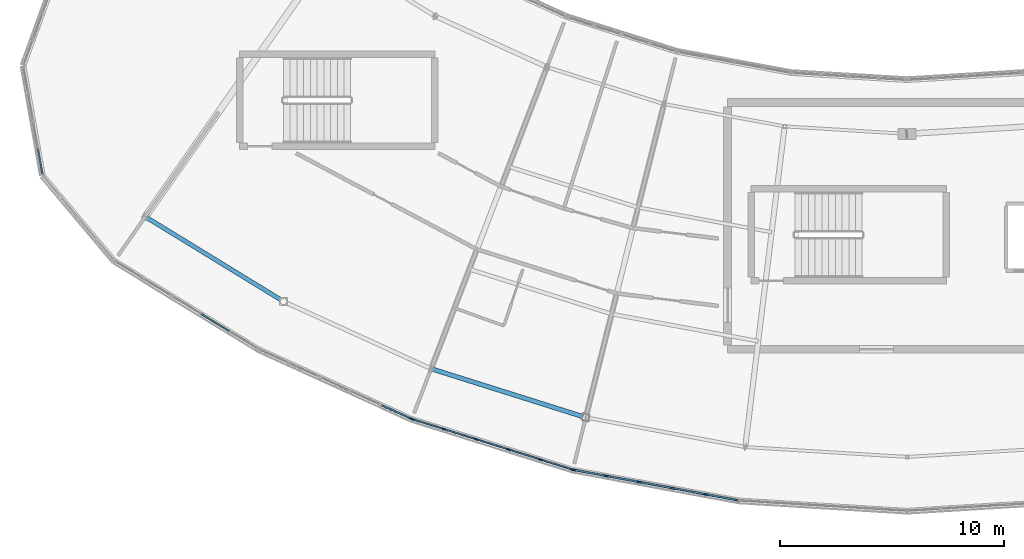
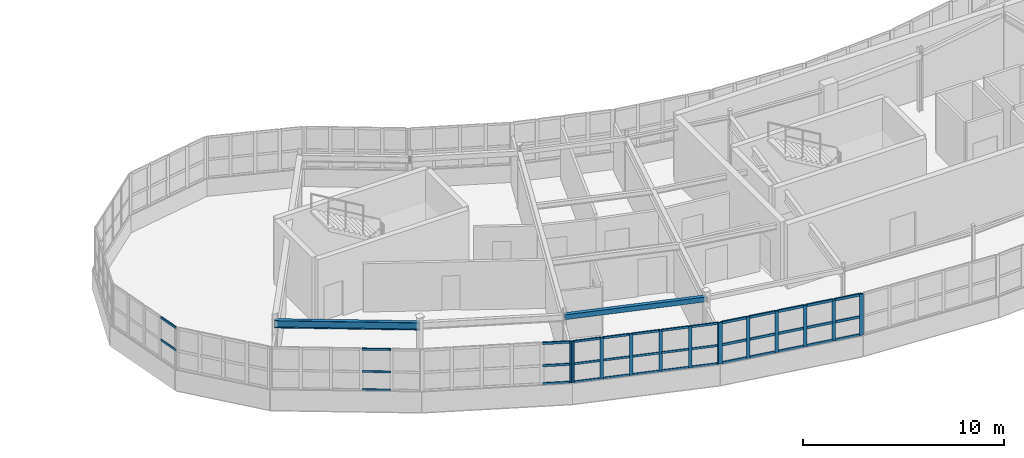
# One storey, part 14 of 65: 51 members, 2 beams, 5 elements without a shape of their own.
"""IFC4 building model written with IfcOpenShell, lengths in metres."""

from ifc_helpers import new_model, si_unit, direction, frame, origin, origin_2d, place, context, subcontext, project, spatial, rectangle, hollow_rectangle, i_section, extrude, material, layer, layer_set, material_profile, profile_set, type_object, element, aggregate, save


model = new_model("IFC4")

# Units and contexts
model_context = context("Model", 3, precision=1e-05, world=origin(), true_north=direction((0.0, 1.0)))
body_context = subcontext(model_context, "Body", "Model", "MODEL_VIEW")
ifc_project = project(units=[si_unit("LENGTHUNIT", "METRE"), si_unit("AREAUNIT", "SQUARE_METRE"), si_unit("VOLUMEUNIT", "CUBIC_METRE"), si_unit("PLANEANGLEUNIT", "RADIAN"), si_unit("MASSUNIT", "GRAM", prefix="KILO")], contexts=[model_context])

# Site, building, storey
site_placement = place(None, origin())
site = spatial("IfcSite", under=ifc_project, at=site_placement, CompositionType="ELEMENT")
building_placement = place(site_placement, origin())
building = spatial("IfcBuilding", under=site, at=building_placement, Name="Tarnwether General Hospital", CompositionType="ELEMENT")
storey_placement = place(building_placement, frame((0.0, 0.0, 22.199951171875)))
storey = spatial("IfcBuildingStorey", under=building, at=storey_placement, Name="L05", CompositionType="ELEMENT", Elevation=22.199951171875)

# Beams
ifc_material_1 = material(Name="Steel Grade 350 (350 MPa)", Category="steel")
ifc_material_profile_1 = material_profile(ifc_material_1, i_section(OverallWidth=0.18994140625, OverallDepth=0.4541015625, WebThickness=0.008544921875, FlangeThickness=0.0126953125, at=origin_2d()), Name="460UB67.1")
ifc_profile_set_1 = profile_set([ifc_material_profile_1], Name="Steel Grade 350 (350 MPa)")
beam_type_1 = type_object("IfcBeamType", Name="BM-SP1", PredefinedType="SPANDREL", material=ifc_profile_set_1)
beam_1_placement = place(storey_placement, frame((58.0439453125, 14.506103515625, 3.3330078125), z_axis=(0.852678430503, -0.522436114902, 0.0), x_axis=(0.522436114902, 0.852678430503, 0.0)))
element("IfcBeam", 1, at=beam_1_placement, inside=storey, type_object=beam_type_1, Name="Curved Ward SE Outer Spandrel BMG-L05-5804_1451-6421_1073-2170", PredefinedType="SPANDREL", context=body_context, shape_type="SweptSolid", body=[
    extrude(i_section(OverallWidth=0.18994140625, OverallDepth=0.4541015625, WebThickness=0.008544921875, FlangeThickness=0.0126953125, at=origin_2d()), origin(), (0.0, 0.0, 1.0), 7.22802734375),
])
ifc_material_2 = material(Name="Steel Grade C350L0 (350 MPa)", Category="steel")
ifc_material_profile_2 = material_profile(ifc_material_2, hollow_rectangle(XDim=0.199951171875, YDim=0.300048828125, WallThickness=0.012451171875, at=origin_2d()), Name="RHS300x200x12.5")
ifc_profile_set_2 = profile_set([ifc_material_profile_2], Name="Steel Grade C350L0 (350 MPa)")
beam_type_2 = type_object("IfcBeamType", Name="BM-SP3", PredefinedType="SPANDREL", material=ifc_profile_set_2)
beam_2_placement = place(storey_placement, frame((70.784912109375, 7.73193359375, 3.41015625), z_axis=(0.953698988948, -0.300762761125, 0.0), x_axis=(0.300762761125, 0.953698988948, 0.0)))
element("IfcBeam", 2, at=beam_2_placement, inside=storey, type_object=beam_type_2, Name="Curved Ward SE Outer Spandrel BMG-L05-7078_773-7768_556-2174", PredefinedType="SPANDREL", context=body_context, shape_type="SweptSolid", body=[
    extrude(hollow_rectangle(XDim=0.199951171875, YDim=0.300048828125, WallThickness=0.012451171875, at=origin_2d()), origin(), (0.0, 0.0, 1.0), 7.227783203125),
])

# Curtain wall, member
ifc_material_3 = material(Name="Anodised aluminium", Category="aluminium")
ifc_layer_1 = layer(ifc_material_3, 0.159912109375)
ifc_layer_set_1 = layer_set([ifc_layer_1], Name="Anodised aluminium")
curtain_wall_type_1 = type_object("IfcCurtainWallType", Name="CW-10", PredefinedType="NOTDEFINED", material=ifc_layer_set_1)
curtain_wall_1_placement = place(storey_placement, origin())
curtain_wall_1 = element("IfcCurtainWall", 3, at=curtain_wall_1_placement, inside=storey, type_object=curtain_wall_type_1, Name="Curtain Wall CWG-L05-699_55-0219", PredefinedType="NOTDEFINED")
ifc_material_4 = material(Name="Anodised aluminium", Category="aluminium")
ifc_material_profile_3 = material_profile(ifc_material_4, rectangle(XDim=0.070068359375, YDim=0.179931640625, at=origin_2d()), Name="ALU-MUL-70x180")
ifc_profile_set_3 = profile_set([ifc_material_profile_3], Name="Anodised aluminium")
member_type_1 = type_object("IfcMemberType", Name="CW-ML2", PredefinedType="MULLION", material=ifc_profile_set_3)
member_1_placement = place(storey_placement, frame((69.89306640625, 5.505615234375, 1.050048828125), z_axis=(0.0, 0.0, 1.0), x_axis=(-0.414694289316, -0.909960793886, 0.0)))
member_1 = element("IfcMember", 4, at=member_1_placement, type_object=member_type_1, Name="CW-10 mullion 1", PredefinedType="MULLION", context=body_context, shape_type="SweptSolid", body=[
    extrude(rectangle(XDim=0.070068359375, YDim=0.179931640625, at=origin_2d()), origin(), (0.0, 0.0, 1.0), 2.510009765625),
])

# Curtain wall, members
curtain_wall_2_placement = place(storey_placement, origin())
curtain_wall_2 = element("IfcCurtainWall", 5, at=curtain_wall_2_placement, inside=storey, type_object=curtain_wall_type_1, Name="Curtain Wall CWG-L05-771_32-0220", PredefinedType="NOTDEFINED")
ifc_material_5 = material(Name="Anodised aluminium", Category="aluminium")
ifc_material_profile_4 = material_profile(ifc_material_5, rectangle(XDim=0.06494140625, YDim=0.169921875, at=origin_2d()), Name="ALU-MUL-65x170")
ifc_profile_set_4 = profile_set([ifc_material_profile_4], Name="Anodised aluminium")
member_type_2 = type_object("IfcMemberType", Name="CW-ML3", PredefinedType="MULLION", material=ifc_profile_set_4)
member_2_placement = place(storey_placement, frame((77.06689453125, 3.23974609375, 1.050048828125), z_axis=(0.0, 0.0, 1.0), x_axis=(-0.300628613299, -0.953741284032, 0.0)))
member_2 = element("IfcMember", 6, at=member_2_placement, type_object=member_type_2, Name="CW-10 mullion 1", PredefinedType="MULLION", context=body_context, shape_type="SweptSolid", body=[
    extrude(rectangle(XDim=0.06494140625, YDim=0.169921875, at=origin_2d()), origin(), (0.0, 0.0, 1.0), 2.510009765625),
])
member_3_placement = place(storey_placement, frame((75.663330078125, 3.68212890625, 1.050048828125), z_axis=(0.0, 0.0, 1.0), x_axis=(-0.300628613299, -0.953741284032, 0.0)))
member_3 = element("IfcMember", 7, at=member_3_placement, type_object=member_type_2, Name="CW-10 mullion 2", PredefinedType="MULLION", context=body_context, shape_type="SweptSolid", body=[
    extrude(rectangle(XDim=0.06494140625, YDim=0.169921875, at=origin_2d()), origin(), (0.0, 0.0, 1.0), 2.510009765625),
])
member_4_placement = place(storey_placement, frame((74.228759765625, 4.134521484375, 1.050048828125), z_axis=(0.0, 0.0, 1.0), x_axis=(-0.300628613299, -0.953741284032, 0.0)))
member_4 = element("IfcMember", 8, at=member_4_placement, type_object=member_type_2, Name="CW-10 mullion 3", PredefinedType="MULLION", context=body_context, shape_type="SweptSolid", body=[
    extrude(rectangle(XDim=0.06494140625, YDim=0.169921875, at=origin_2d()), origin(), (0.0, 0.0, 1.0), 2.510009765625),
])
member_5_placement = place(storey_placement, frame((72.794189453125, 4.586669921875, 1.050048828125), z_axis=(0.0, 0.0, 1.0), x_axis=(-0.300628613299, -0.953741284032, 0.0)))
member_5 = element("IfcMember", 9, at=member_5_placement, type_object=member_type_2, Name="CW-10 mullion 4", PredefinedType="MULLION", context=body_context, shape_type="SweptSolid", body=[
    extrude(rectangle(XDim=0.06494140625, YDim=0.169921875, at=origin_2d()), origin(), (0.0, 0.0, 1.0), 2.510009765625),
])
member_6_placement = place(storey_placement, frame((71.359619140625, 5.038818359375, 1.050048828125), z_axis=(0.0, 0.0, 1.0), x_axis=(-0.300628613299, -0.953741284032, 0.0)))
member_6 = element("IfcMember", 10, at=member_6_placement, type_object=member_type_2, Name="CW-10 mullion 5", PredefinedType="MULLION", context=body_context, shape_type="SweptSolid", body=[
    extrude(rectangle(XDim=0.06494140625, YDim=0.169921875, at=origin_2d()), origin(), (0.0, 0.0, 1.0), 2.510009765625),
])
member_7_placement = place(storey_placement, frame((69.9560546875, 5.481201171875, 1.050048828125), z_axis=(0.0, 0.0, 1.0), x_axis=(-0.300628613299, -0.953741284032, 0.0)))
member_7 = element("IfcMember", 11, at=member_7_placement, type_object=member_type_2, Name="CW-10 mullion 6", PredefinedType="MULLION", context=body_context, shape_type="SweptSolid", body=[
    extrude(rectangle(XDim=0.06494140625, YDim=0.169921875, at=origin_2d()), origin(), (0.0, 0.0, 1.0), 2.510009765625),
])

curtain_wall_3_placement = place(storey_placement, origin())
curtain_wall_3 = element("IfcCurtainWall", 12, at=curtain_wall_3_placement, inside=storey, type_object=curtain_wall_type_1, Name="Curtain Wall CWG-L05-845_19-0221", PredefinedType="NOTDEFINED")
ifc_material_6 = material(Name="Anodised aluminium", Category="aluminium")
ifc_material_profile_5 = material_profile(ifc_material_6, rectangle(XDim=0.080078125, YDim=0.199951171875, at=origin_2d()), Name="ALU-MUL-80x200")
ifc_profile_set_5 = profile_set([ifc_material_profile_5], Name="Anodised aluminium")
member_type_3 = type_object("IfcMemberType", Name="CW-ML4", PredefinedType="MULLION", material=ifc_profile_set_5)
member_8_placement = place(storey_placement, frame((84.45361328125, 1.8662109375, 1.050048828125), z_axis=(0.0, 0.0, 1.0), x_axis=(-0.182289226614, -0.983244953132, 0.0)))
member_8 = element("IfcMember", 13, at=member_8_placement, type_object=member_type_3, Name="CW-10 mullion 1", PredefinedType="MULLION", context=body_context, shape_type="SweptSolid", body=[
    extrude(rectangle(XDim=0.080078125, YDim=0.199951171875, at=origin_2d()), origin(), (0.0, 0.0, 1.0), 2.510009765625),
])
member_9_placement = place(storey_placement, frame((83.013916015625, 2.13330078125, 1.050048828125), z_axis=(0.0, 0.0, 1.0), x_axis=(-0.182289226614, -0.983244953132, 0.0)))
member_9 = element("IfcMember", 14, at=member_9_placement, type_object=member_type_3, Name="CW-10 mullion 2", PredefinedType="MULLION", context=body_context, shape_type="SweptSolid", body=[
    extrude(rectangle(XDim=0.080078125, YDim=0.199951171875, at=origin_2d()), origin(), (0.0, 0.0, 1.0), 2.510009765625),
])
member_10_placement = place(storey_placement, frame((81.534912109375, 2.407470703125, 1.050048828125), z_axis=(0.0, 0.0, 1.0), x_axis=(-0.182289226614, -0.983244953132, 0.0)))
member_10 = element("IfcMember", 15, at=member_10_placement, type_object=member_type_3, Name="CW-10 mullion 3", PredefinedType="MULLION", context=body_context, shape_type="SweptSolid", body=[
    extrude(rectangle(XDim=0.080078125, YDim=0.199951171875, at=origin_2d()), origin(), (0.0, 0.0, 1.0), 2.510009765625),
])
member_11_placement = place(storey_placement, frame((80.055908203125, 2.681640625, 1.050048828125), z_axis=(0.0, 0.0, 1.0), x_axis=(-0.182289226614, -0.983244953132, 0.0)))
member_11 = element("IfcMember", 16, at=member_11_placement, type_object=member_type_3, Name="CW-10 mullion 4", PredefinedType="MULLION", context=body_context, shape_type="SweptSolid", body=[
    extrude(rectangle(XDim=0.080078125, YDim=0.199951171875, at=origin_2d()), origin(), (0.0, 0.0, 1.0), 2.510009765625),
])
member_12_placement = place(storey_placement, frame((78.576904296875, 2.955810546875, 1.050048828125), z_axis=(0.0, 0.0, 1.0), x_axis=(-0.182289226614, -0.983244953132, 0.0)))
member_12 = element("IfcMember", 17, at=member_12_placement, type_object=member_type_3, Name="CW-10 mullion 5", PredefinedType="MULLION", context=body_context, shape_type="SweptSolid", body=[
    extrude(rectangle(XDim=0.080078125, YDim=0.199951171875, at=origin_2d()), origin(), (0.0, 0.0, 1.0), 2.510009765625),
])
member_13_placement = place(storey_placement, frame((77.137451171875, 3.22265625, 1.050048828125), z_axis=(0.0, 0.0, 1.0), x_axis=(-0.182289226614, -0.983244953132, 0.0)))
member_13 = element("IfcMember", 18, at=member_13_placement, type_object=member_type_3, Name="CW-10 mullion 6", PredefinedType="MULLION", context=body_context, shape_type="SweptSolid", body=[
    extrude(rectangle(XDim=0.080078125, YDim=0.199951171875, at=origin_2d()), origin(), (0.0, 0.0, 1.0), 2.510009765625),
])

curtain_wall_4_placement = place(storey_placement, origin())
curtain_wall_4 = element("IfcCurtainWall", 19, at=curtain_wall_4_placement, inside=storey, type_object=curtain_wall_type_1, Name="Curtain Wall CWG-L05-631_86-0218", PredefinedType="NOTDEFINED")
ifc_material_7 = material(Name="Anodised aluminium", Category="aluminium")
ifc_material_profile_6 = material_profile(ifc_material_7, rectangle(XDim=0.06005859375, YDim=0.1201171875, at=origin_2d()), Name="ALU-TRN-60x120")
ifc_profile_set_6 = profile_set([ifc_material_profile_6], Name="Anodised aluminium")
member_type_4 = type_object("IfcMemberType", Name="CW-TR1", PredefinedType="USERDEFINED", material=ifc_profile_set_6)
member_14_placement = place(storey_placement, frame((61.772705078125, 9.41162109375, 1.080078125), z_axis=(-0.852637692392, 0.52250259857, 0.0), x_axis=(-0.52250259857, -0.852637692392, 0.0)))
member_14 = element("IfcMember", 20, at=member_14_placement, type_object=member_type_4, Name="CW-10 transom 2.1", ObjectType="TRANSOM", PredefinedType="USERDEFINED", context=body_context, shape_type="SweptSolid", body=[
    extrude(rectangle(XDim=0.06005859375, YDim=0.1201171875, at=origin_2d()), origin(), (0.0, 0.0, 1.0), 1.4443359375),
])
member_15_placement = place(storey_placement, frame((61.772705078125, 9.41162109375, 2.179443359375), z_axis=(-0.852637692392, 0.52250259857, 0.0), x_axis=(-0.52250259857, -0.852637692392, 0.0)))
member_15 = element("IfcMember", 21, at=member_15_placement, type_object=member_type_4, Name="CW-10 transom 2.2", ObjectType="TRANSOM", PredefinedType="USERDEFINED", context=body_context, shape_type="SweptSolid", body=[
    extrude(rectangle(XDim=0.06005859375, YDim=0.1201171875, at=origin_2d()), origin(), (0.0, 0.0, 1.0), 1.4443359375),
])
member_16_placement = place(storey_placement, frame((61.772705078125, 9.41162109375, 3.530029296875), z_axis=(-0.852637692392, 0.52250259857, 0.0), x_axis=(-0.52250259857, -0.852637692392, 0.0)))
member_16 = element("IfcMember", 22, at=member_16_placement, type_object=member_type_4, Name="CW-10 transom 2.3", ObjectType="TRANSOM", PredefinedType="USERDEFINED", context=body_context, shape_type="SweptSolid", body=[
    extrude(rectangle(XDim=0.06005859375, YDim=0.1201171875, at=origin_2d()), origin(), (0.0, 0.0, 1.0), 1.4443359375),
])
aggregate(curtain_wall_4, [member_14, member_15, member_16])

# Member
ifc_material_8 = material(Name="Anodised aluminium", Category="aluminium")
ifc_material_profile_7 = material_profile(ifc_material_8, rectangle(XDim=0.070068359375, YDim=0.139892578125, at=origin_2d()), Name="ALU-TRN-70x140")
ifc_profile_set_7 = profile_set([ifc_material_profile_7], Name="Anodised aluminium")
member_type_5 = type_object("IfcMemberType", Name="CW-TR2", PredefinedType="USERDEFINED", material=ifc_profile_set_7)
member_17_placement = place(storey_placement, frame((69.861328125, 5.52001953125, 1.0849609375), z_axis=(-0.909935750091, 0.414749238344, 0.0), x_axis=(-0.414749238344, -0.909935750091, 0.0)))
member_17 = element("IfcMember", 23, at=member_17_placement, type_object=member_type_5, Name="CW-10 transom 1.1", ObjectType="TRANSOM", PredefinedType="USERDEFINED", context=body_context, shape_type="SweptSolid", body=[
    extrude(rectangle(XDim=0.070068359375, YDim=0.139892578125, at=origin_2d()), origin(), (0.0, 0.0, 1.0), 1.399169921875),
])

member_18_placement = place(storey_placement, frame((69.861328125, 5.52001953125, 2.179443359375), z_axis=(-0.909935750091, 0.414749238344, 0.0), x_axis=(-0.414749238344, -0.909935750091, 0.0)))
member_18 = element("IfcMember", 24, at=member_18_placement, type_object=member_type_5, Name="CW-10 transom 1.2", ObjectType="TRANSOM", PredefinedType="USERDEFINED", context=body_context, shape_type="SweptSolid", body=[
    extrude(rectangle(XDim=0.070068359375, YDim=0.139892578125, at=origin_2d()), origin(), (0.0, 0.0, 1.0), 1.399169921875),
])

member_19_placement = place(storey_placement, frame((69.861328125, 5.52001953125, 3.525146484375), z_axis=(-0.909935750091, 0.414749238344, 0.0), x_axis=(-0.414749238344, -0.909935750091, 0.0)))
member_19 = element("IfcMember", 25, at=member_19_placement, type_object=member_type_5, Name="CW-10 transom 1.3", ObjectType="TRANSOM", PredefinedType="USERDEFINED", context=body_context, shape_type="SweptSolid", body=[
    extrude(rectangle(XDim=0.070068359375, YDim=0.139892578125, at=origin_2d()), origin(), (0.0, 0.0, 1.0), 1.399169921875),
])

aggregate(curtain_wall_1, [member_1, member_17, member_18, member_19])

ifc_material_9 = material(Name="Anodised aluminium", Category="aluminium")
ifc_material_profile_8 = material_profile(ifc_material_9, rectangle(XDim=0.06494140625, YDim=0.1298828125, at=origin_2d()), Name="ALU-TRN-65x130")
ifc_profile_set_8 = profile_set([ifc_material_profile_8], Name="Anodised aluminium")
member_type_6 = type_object("IfcMemberType", Name="CW-TR3", PredefinedType="USERDEFINED", material=ifc_profile_set_8)
member_20_placement = place(storey_placement, frame((77.035888671875, 3.24951171875, 1.08251953125), z_axis=(-0.953745162208, 0.300616309544, 0.0), x_axis=(-0.300616309544, -0.953745162208, 0.0)))
member_20 = element("IfcMember", 26, at=member_20_placement, type_object=member_type_6, Name="CW-10 transom 1.1", ObjectType="TRANSOM", PredefinedType="USERDEFINED", context=body_context, shape_type="SweptSolid", body=[
    extrude(rectangle(XDim=0.06494140625, YDim=0.1298828125, at=origin_2d()), origin(), (0.0, 0.0, 1.0), 1.406494140625),
])

member_21_placement = place(storey_placement, frame((77.035888671875, 3.24951171875, 2.179443359375), z_axis=(-0.953745162208, 0.300616309544, 0.0), x_axis=(-0.300616309544, -0.953745162208, 0.0)))
member_21 = element("IfcMember", 27, at=member_21_placement, type_object=member_type_6, Name="CW-10 transom 1.2", ObjectType="TRANSOM", PredefinedType="USERDEFINED", context=body_context, shape_type="SweptSolid", body=[
    extrude(rectangle(XDim=0.06494140625, YDim=0.1298828125, at=origin_2d()), origin(), (0.0, 0.0, 1.0), 1.406494140625),
])

member_22_placement = place(storey_placement, frame((77.035888671875, 3.24951171875, 3.527587890625), z_axis=(-0.953745162208, 0.300616309544, 0.0), x_axis=(-0.300616309544, -0.953745162208, 0.0)))
member_22 = element("IfcMember", 28, at=member_22_placement, type_object=member_type_6, Name="CW-10 transom 1.3", ObjectType="TRANSOM", PredefinedType="USERDEFINED", context=body_context, shape_type="SweptSolid", body=[
    extrude(rectangle(XDim=0.06494140625, YDim=0.1298828125, at=origin_2d()), origin(), (0.0, 0.0, 1.0), 1.406494140625),
])

member_23_placement = place(storey_placement, frame((75.63232421875, 3.69189453125, 1.08251953125), z_axis=(-0.953746613852, 0.300611703975, 0.0), x_axis=(-0.300611703975, -0.953746613852, 0.0)))
member_23 = element("IfcMember", 29, at=member_23_placement, type_object=member_type_6, Name="CW-10 transom 2.1", ObjectType="TRANSOM", PredefinedType="USERDEFINED", context=body_context, shape_type="SweptSolid", body=[
    extrude(rectangle(XDim=0.06494140625, YDim=0.1298828125, at=origin_2d()), origin(), (0.0, 0.0, 1.0), 1.439208984375),
])

member_24_placement = place(storey_placement, frame((75.63232421875, 3.69189453125, 2.179443359375), z_axis=(-0.953746613852, 0.300611703975, 0.0), x_axis=(-0.300611703975, -0.953746613852, 0.0)))
member_24 = element("IfcMember", 30, at=member_24_placement, type_object=member_type_6, Name="CW-10 transom 2.2", ObjectType="TRANSOM", PredefinedType="USERDEFINED", context=body_context, shape_type="SweptSolid", body=[
    extrude(rectangle(XDim=0.06494140625, YDim=0.1298828125, at=origin_2d()), origin(), (0.0, 0.0, 1.0), 1.439208984375),
])

member_25_placement = place(storey_placement, frame((75.63232421875, 3.69189453125, 3.527587890625), z_axis=(-0.953746613852, 0.300611703975, 0.0), x_axis=(-0.300611703975, -0.953746613852, 0.0)))
member_25 = element("IfcMember", 31, at=member_25_placement, type_object=member_type_6, Name="CW-10 transom 2.3", ObjectType="TRANSOM", PredefinedType="USERDEFINED", context=body_context, shape_type="SweptSolid", body=[
    extrude(rectangle(XDim=0.06494140625, YDim=0.1298828125, at=origin_2d()), origin(), (0.0, 0.0, 1.0), 1.439208984375),
])

member_26_placement = place(storey_placement, frame((74.19775390625, 4.144287109375, 1.08251953125), z_axis=(-0.953746613852, 0.300611703975, 0.0), x_axis=(-0.300611703975, -0.953746613852, 0.0)))
member_26 = element("IfcMember", 32, at=member_26_placement, type_object=member_type_6, Name="CW-10 transom 3.1", ObjectType="TRANSOM", PredefinedType="USERDEFINED", context=body_context, shape_type="SweptSolid", body=[
    extrude(rectangle(XDim=0.06494140625, YDim=0.1298828125, at=origin_2d()), origin(), (0.0, 0.0, 1.0), 1.439208984375),
])

member_27_placement = place(storey_placement, frame((74.19775390625, 4.144287109375, 2.179443359375), z_axis=(-0.953746613852, 0.300611703975, 0.0), x_axis=(-0.300611703975, -0.953746613852, 0.0)))
member_27 = element("IfcMember", 33, at=member_27_placement, type_object=member_type_6, Name="CW-10 transom 3.2", ObjectType="TRANSOM", PredefinedType="USERDEFINED", context=body_context, shape_type="SweptSolid", body=[
    extrude(rectangle(XDim=0.06494140625, YDim=0.1298828125, at=origin_2d()), origin(), (0.0, 0.0, 1.0), 1.439208984375),
])

member_28_placement = place(storey_placement, frame((74.19775390625, 4.144287109375, 3.527587890625), z_axis=(-0.953746613852, 0.300611703975, 0.0), x_axis=(-0.300611703975, -0.953746613852, 0.0)))
member_28 = element("IfcMember", 34, at=member_28_placement, type_object=member_type_6, Name="CW-10 transom 3.3", ObjectType="TRANSOM", PredefinedType="USERDEFINED", context=body_context, shape_type="SweptSolid", body=[
    extrude(rectangle(XDim=0.06494140625, YDim=0.1298828125, at=origin_2d()), origin(), (0.0, 0.0, 1.0), 1.439208984375),
])

member_29_placement = place(storey_placement, frame((72.76318359375, 4.596435546875, 1.08251953125), z_axis=(-0.953746613852, 0.300611703975, 0.0), x_axis=(-0.300611703975, -0.953746613852, 0.0)))
member_29 = element("IfcMember", 35, at=member_29_placement, type_object=member_type_6, Name="CW-10 transom 4.1", ObjectType="TRANSOM", PredefinedType="USERDEFINED", context=body_context, shape_type="SweptSolid", body=[
    extrude(rectangle(XDim=0.06494140625, YDim=0.1298828125, at=origin_2d()), origin(), (0.0, 0.0, 1.0), 1.439208984375),
])

member_30_placement = place(storey_placement, frame((72.76318359375, 4.596435546875, 2.179443359375), z_axis=(-0.953746613852, 0.300611703975, 0.0), x_axis=(-0.300611703975, -0.953746613852, 0.0)))
member_30 = element("IfcMember", 36, at=member_30_placement, type_object=member_type_6, Name="CW-10 transom 4.2", ObjectType="TRANSOM", PredefinedType="USERDEFINED", context=body_context, shape_type="SweptSolid", body=[
    extrude(rectangle(XDim=0.06494140625, YDim=0.1298828125, at=origin_2d()), origin(), (0.0, 0.0, 1.0), 1.439208984375),
])

member_31_placement = place(storey_placement, frame((72.76318359375, 4.596435546875, 3.527587890625), z_axis=(-0.953746613852, 0.300611703975, 0.0), x_axis=(-0.300611703975, -0.953746613852, 0.0)))
member_31 = element("IfcMember", 37, at=member_31_placement, type_object=member_type_6, Name="CW-10 transom 4.3", ObjectType="TRANSOM", PredefinedType="USERDEFINED", context=body_context, shape_type="SweptSolid", body=[
    extrude(rectangle(XDim=0.06494140625, YDim=0.1298828125, at=origin_2d()), origin(), (0.0, 0.0, 1.0), 1.439208984375),
])

member_32_placement = place(storey_placement, frame((71.32861328125, 5.048583984375, 1.08251953125), z_axis=(-0.953745162208, 0.300616309544, 0.0), x_axis=(-0.300616309544, -0.953745162208, 0.0)))
member_32 = element("IfcMember", 38, at=member_32_placement, type_object=member_type_6, Name="CW-10 transom 5.1", ObjectType="TRANSOM", PredefinedType="USERDEFINED", context=body_context, shape_type="SweptSolid", body=[
    extrude(rectangle(XDim=0.06494140625, YDim=0.1298828125, at=origin_2d()), origin(), (0.0, 0.0, 1.0), 1.406494140625),
])

member_33_placement = place(storey_placement, frame((71.32861328125, 5.048583984375, 2.179443359375), z_axis=(-0.953745162208, 0.300616309544, 0.0), x_axis=(-0.300616309544, -0.953745162208, 0.0)))
member_33 = element("IfcMember", 39, at=member_33_placement, type_object=member_type_6, Name="CW-10 transom 5.2", ObjectType="TRANSOM", PredefinedType="USERDEFINED", context=body_context, shape_type="SweptSolid", body=[
    extrude(rectangle(XDim=0.06494140625, YDim=0.1298828125, at=origin_2d()), origin(), (0.0, 0.0, 1.0), 1.406494140625),
])

member_34_placement = place(storey_placement, frame((71.32861328125, 5.048583984375, 3.527587890625), z_axis=(-0.953745162208, 0.300616309544, 0.0), x_axis=(-0.300616309544, -0.953745162208, 0.0)))
member_34 = element("IfcMember", 40, at=member_34_placement, type_object=member_type_6, Name="CW-10 transom 5.3", ObjectType="TRANSOM", PredefinedType="USERDEFINED", context=body_context, shape_type="SweptSolid", body=[
    extrude(rectangle(XDim=0.06494140625, YDim=0.1298828125, at=origin_2d()), origin(), (0.0, 0.0, 1.0), 1.406494140625),
])

aggregate(curtain_wall_2, [member_2, member_3, member_4, member_5, member_6, member_7, member_20, member_21, member_22, member_23, member_24, member_25, member_26, member_27, member_28, member_29, member_30, member_31, member_32, member_33, member_34])

# Curtain wall, members
ifc_material_10 = material(Name="Anodised aluminium", Category="aluminium")
ifc_layer_2 = layer(ifc_material_10, 0.159912109375)
ifc_layer_set_2 = layer_set([ifc_layer_2], Name="Anodised aluminium")
curtain_wall_type_2 = type_object("IfcCurtainWallType", Name="CW-04", PredefinedType="NOTDEFINED", material=ifc_layer_set_2)
curtain_wall_5_placement = place(storey_placement, origin())
curtain_wall_5 = element("IfcCurtainWall", 41, at=curtain_wall_5_placement, inside=storey, type_object=curtain_wall_type_2, Name="Curtain Wall CWG-L05-535_163-0243", PredefinedType="NOTDEFINED")
member_35_placement = place(storey_placement, frame((53.461669921875, 16.4111328125, 2.179443359375), z_axis=(-0.173383838773, 0.984854326513, 0.0), x_axis=(-0.984854326513, -0.173383838773, 0.0)))
member_35 = element("IfcMember", 42, at=member_35_placement, type_object=member_type_6, Name="CW-04 transom 1.2", ObjectType="TRANSOM", PredefinedType="USERDEFINED", context=body_context, shape_type="SweptSolid", body=[
    extrude(rectangle(XDim=0.06494140625, YDim=0.1298828125, at=origin_2d()), origin(), (0.0, 0.0, 1.0), 1.144775390625),
])
member_36_placement = place(storey_placement, frame((53.461669921875, 16.4111328125, 3.527587890625), z_axis=(-0.173383838773, 0.984854326513, 0.0), x_axis=(-0.984854326513, -0.173383838773, 0.0)))
member_36 = element("IfcMember", 43, at=member_36_placement, type_object=member_type_6, Name="CW-04 transom 1.3", ObjectType="TRANSOM", PredefinedType="USERDEFINED", context=body_context, shape_type="SweptSolid", body=[
    extrude(rectangle(XDim=0.06494140625, YDim=0.1298828125, at=origin_2d()), origin(), (0.0, 0.0, 1.0), 1.144775390625),
])
aggregate(curtain_wall_5, [member_35, member_36])

# Member
ifc_material_11 = material(Name="Anodised aluminium", Category="aluminium")
ifc_material_profile_9 = material_profile(ifc_material_11, rectangle(XDim=0.080078125, YDim=0.14990234375, at=origin_2d()), Name="ALU-TRN-80x150")
ifc_profile_set_9 = profile_set([ifc_material_profile_9], Name="Anodised aluminium")
member_type_7 = type_object("IfcMemberType", Name="CW-TR4", PredefinedType="USERDEFINED", material=ifc_profile_set_9)
member_37_placement = place(storey_placement, frame((84.414306640625, 1.87353515625, 1.090087890625), z_axis=(-0.983231677893, 0.18236081703, 0.0), x_axis=(-0.18236081703, -0.983231677893, 0.0)))
member_37 = element("IfcMember", 44, at=member_37_placement, type_object=member_type_7, Name="CW-10 transom 1.1", ObjectType="TRANSOM", PredefinedType="USERDEFINED", context=body_context, shape_type="SweptSolid", body=[
    extrude(rectangle(XDim=0.080078125, YDim=0.14990234375, at=origin_2d()), origin(), (0.0, 0.0, 1.0), 1.38427734375),
])

member_38_placement = place(storey_placement, frame((84.414306640625, 1.87353515625, 2.179443359375), z_axis=(-0.983231677893, 0.18236081703, 0.0), x_axis=(-0.18236081703, -0.983231677893, 0.0)))
member_38 = element("IfcMember", 45, at=member_38_placement, type_object=member_type_7, Name="CW-10 transom 1.2", ObjectType="TRANSOM", PredefinedType="USERDEFINED", context=body_context, shape_type="SweptSolid", body=[
    extrude(rectangle(XDim=0.080078125, YDim=0.14990234375, at=origin_2d()), origin(), (0.0, 0.0, 1.0), 1.38427734375),
])

member_39_placement = place(storey_placement, frame((84.414306640625, 1.87353515625, 3.52001953125), z_axis=(-0.983231677893, 0.18236081703, 0.0), x_axis=(-0.18236081703, -0.983231677893, 0.0)))
member_39 = element("IfcMember", 46, at=member_39_placement, type_object=member_type_7, Name="CW-10 transom 1.3", ObjectType="TRANSOM", PredefinedType="USERDEFINED", context=body_context, shape_type="SweptSolid", body=[
    extrude(rectangle(XDim=0.080078125, YDim=0.14990234375, at=origin_2d()), origin(), (0.0, 0.0, 1.0), 1.38427734375),
])

member_40_placement = place(storey_placement, frame((82.974609375, 2.140380859375, 1.090087890625), z_axis=(-0.983227399541, 0.182383883039, 0.0), x_axis=(-0.182383883039, -0.983227399541, 0.0)))
member_40 = element("IfcMember", 47, at=member_40_placement, type_object=member_type_7, Name="CW-10 transom 2.1", ObjectType="TRANSOM", PredefinedType="USERDEFINED", context=body_context, shape_type="SweptSolid", body=[
    extrude(rectangle(XDim=0.080078125, YDim=0.14990234375, at=origin_2d()), origin(), (0.0, 0.0, 1.0), 1.42431640625),
])

member_41_placement = place(storey_placement, frame((82.974609375, 2.140380859375, 2.179443359375), z_axis=(-0.983227399541, 0.182383883039, 0.0), x_axis=(-0.182383883039, -0.983227399541, 0.0)))
member_41 = element("IfcMember", 48, at=member_41_placement, type_object=member_type_7, Name="CW-10 transom 2.2", ObjectType="TRANSOM", PredefinedType="USERDEFINED", context=body_context, shape_type="SweptSolid", body=[
    extrude(rectangle(XDim=0.080078125, YDim=0.14990234375, at=origin_2d()), origin(), (0.0, 0.0, 1.0), 1.42431640625),
])

member_42_placement = place(storey_placement, frame((82.974609375, 2.140380859375, 3.52001953125), z_axis=(-0.983227399541, 0.182383883039, 0.0), x_axis=(-0.182383883039, -0.983227399541, 0.0)))
member_42 = element("IfcMember", 49, at=member_42_placement, type_object=member_type_7, Name="CW-10 transom 2.3", ObjectType="TRANSOM", PredefinedType="USERDEFINED", context=body_context, shape_type="SweptSolid", body=[
    extrude(rectangle(XDim=0.080078125, YDim=0.14990234375, at=origin_2d()), origin(), (0.0, 0.0, 1.0), 1.42431640625),
])

member_43_placement = place(storey_placement, frame((81.49560546875, 2.414794921875, 1.090087890625), z_axis=(-0.983258125219, 0.182218163722, 0.0), x_axis=(-0.182218163722, -0.983258125219, 0.0)))
member_43 = element("IfcMember", 50, at=member_43_placement, type_object=member_type_7, Name="CW-10 transom 3.1", ObjectType="TRANSOM", PredefinedType="USERDEFINED", context=body_context, shape_type="SweptSolid", body=[
    extrude(rectangle(XDim=0.080078125, YDim=0.14990234375, at=origin_2d()), origin(), (0.0, 0.0, 1.0), 1.42431640625),
])

member_44_placement = place(storey_placement, frame((81.49560546875, 2.414794921875, 2.179443359375), z_axis=(-0.983258125219, 0.182218163722, 0.0), x_axis=(-0.182218163722, -0.983258125219, 0.0)))
member_44 = element("IfcMember", 51, at=member_44_placement, type_object=member_type_7, Name="CW-10 transom 3.2", ObjectType="TRANSOM", PredefinedType="USERDEFINED", context=body_context, shape_type="SweptSolid", body=[
    extrude(rectangle(XDim=0.080078125, YDim=0.14990234375, at=origin_2d()), origin(), (0.0, 0.0, 1.0), 1.42431640625),
])

member_45_placement = place(storey_placement, frame((81.49560546875, 2.414794921875, 3.52001953125), z_axis=(-0.983258125219, 0.182218163722, 0.0), x_axis=(-0.182218163722, -0.983258125219, 0.0)))
member_45 = element("IfcMember", 52, at=member_45_placement, type_object=member_type_7, Name="CW-10 transom 3.3", ObjectType="TRANSOM", PredefinedType="USERDEFINED", context=body_context, shape_type="SweptSolid", body=[
    extrude(rectangle(XDim=0.080078125, YDim=0.14990234375, at=origin_2d()), origin(), (0.0, 0.0, 1.0), 1.42431640625),
])

member_46_placement = place(storey_placement, frame((80.0166015625, 2.68896484375, 1.090087890625), z_axis=(-0.983258125219, 0.182218163722, 0.0), x_axis=(-0.182218163722, -0.983258125219, 0.0)))
member_46 = element("IfcMember", 53, at=member_46_placement, type_object=member_type_7, Name="CW-10 transom 4.1", ObjectType="TRANSOM", PredefinedType="USERDEFINED", context=body_context, shape_type="SweptSolid", body=[
    extrude(rectangle(XDim=0.080078125, YDim=0.14990234375, at=origin_2d()), origin(), (0.0, 0.0, 1.0), 1.42431640625),
])

member_47_placement = place(storey_placement, frame((80.0166015625, 2.68896484375, 2.179443359375), z_axis=(-0.983258125219, 0.182218163722, 0.0), x_axis=(-0.182218163722, -0.983258125219, 0.0)))
member_47 = element("IfcMember", 54, at=member_47_placement, type_object=member_type_7, Name="CW-10 transom 4.2", ObjectType="TRANSOM", PredefinedType="USERDEFINED", context=body_context, shape_type="SweptSolid", body=[
    extrude(rectangle(XDim=0.080078125, YDim=0.14990234375, at=origin_2d()), origin(), (0.0, 0.0, 1.0), 1.42431640625),
])

member_48_placement = place(storey_placement, frame((80.0166015625, 2.68896484375, 3.52001953125), z_axis=(-0.983258125219, 0.182218163722, 0.0), x_axis=(-0.182218163722, -0.983258125219, 0.0)))
member_48 = element("IfcMember", 55, at=member_48_placement, type_object=member_type_7, Name="CW-10 transom 4.3", ObjectType="TRANSOM", PredefinedType="USERDEFINED", context=body_context, shape_type="SweptSolid", body=[
    extrude(rectangle(XDim=0.080078125, YDim=0.14990234375, at=origin_2d()), origin(), (0.0, 0.0, 1.0), 1.42431640625),
])

member_49_placement = place(storey_placement, frame((78.53759765625, 2.963134765625, 1.090087890625), z_axis=(-0.983257430954, 0.182221909971, 0.0), x_axis=(-0.182221909971, -0.983257430954, 0.0)))
member_49 = element("IfcMember", 56, at=member_49_placement, type_object=member_type_7, Name="CW-10 transom 5.1", ObjectType="TRANSOM", PredefinedType="USERDEFINED", context=body_context, shape_type="SweptSolid", body=[
    extrude(rectangle(XDim=0.080078125, YDim=0.14990234375, at=origin_2d()), origin(), (0.0, 0.0, 1.0), 1.384033203125),
])

member_50_placement = place(storey_placement, frame((78.53759765625, 2.963134765625, 2.179443359375), z_axis=(-0.983257430954, 0.182221909971, 0.0), x_axis=(-0.182221909971, -0.983257430954, 0.0)))
member_50 = element("IfcMember", 57, at=member_50_placement, type_object=member_type_7, Name="CW-10 transom 5.2", ObjectType="TRANSOM", PredefinedType="USERDEFINED", context=body_context, shape_type="SweptSolid", body=[
    extrude(rectangle(XDim=0.080078125, YDim=0.14990234375, at=origin_2d()), origin(), (0.0, 0.0, 1.0), 1.384033203125),
])

member_51_placement = place(storey_placement, frame((78.53759765625, 2.963134765625, 3.52001953125), z_axis=(-0.983257430954, 0.182221909971, 0.0), x_axis=(-0.182221909971, -0.983257430954, 0.0)))
member_51 = element("IfcMember", 58, at=member_51_placement, type_object=member_type_7, Name="CW-10 transom 5.3", ObjectType="TRANSOM", PredefinedType="USERDEFINED", context=body_context, shape_type="SweptSolid", body=[
    extrude(rectangle(XDim=0.080078125, YDim=0.14990234375, at=origin_2d()), origin(), (0.0, 0.0, 1.0), 1.384033203125),
])

aggregate(curtain_wall_3, [member_8, member_9, member_10, member_11, member_12, member_13, member_37, member_38, member_39, member_40, member_41, member_42, member_43, member_44, member_45, member_46, member_47, member_48, member_49, member_50, member_51])

save(model, "model.ifc")
